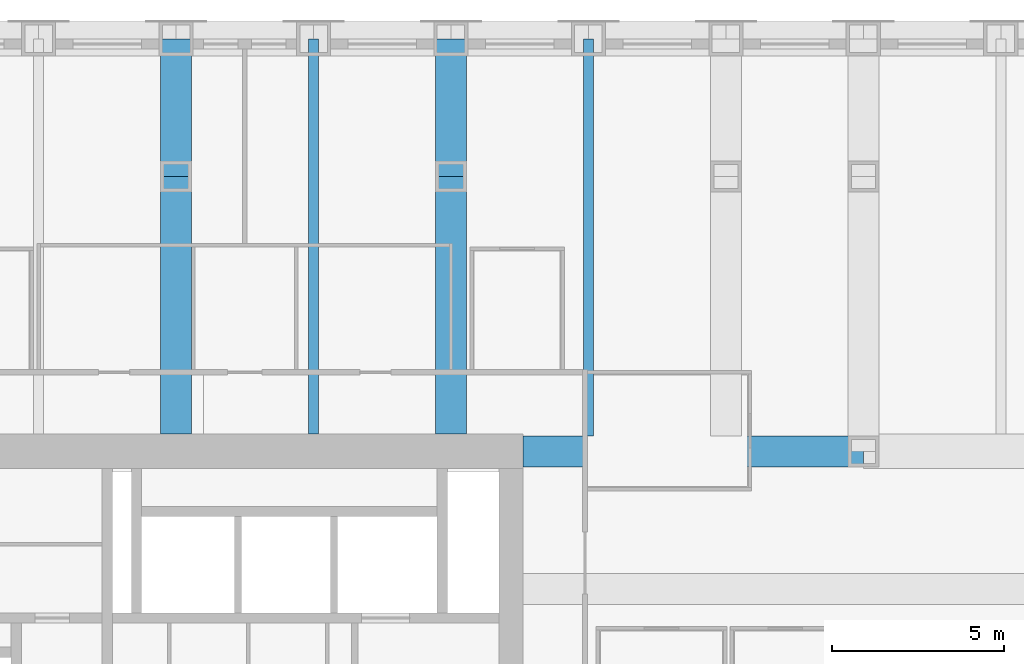
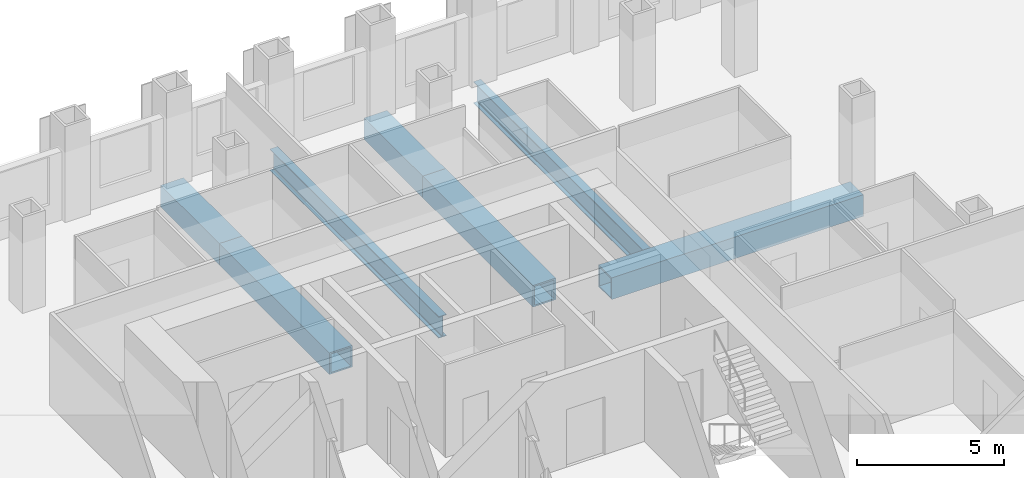
# One storey, part 7 of 16: 7 beams.
"""IFC4 building model written with IfcOpenShell, lengths in metres."""

from ifc_helpers import new_model, si_unit, direction, frame, origin, origin_2d, place, context, subcontext, project, spatial, hollow_rectangle, i_section, extrude, material, material_profile, profile_set, type_object, element, save


model = new_model("IFC4")

# Units and contexts
model_context = context("Model", 3, precision=1e-05, world=origin(), true_north=direction((0.0, 1.0)))
body_context = subcontext(model_context, "Body", "Model", "MODEL_VIEW")
ifc_project = project(units=[si_unit("LENGTHUNIT", "METRE"), si_unit("AREAUNIT", "SQUARE_METRE"), si_unit("VOLUMEUNIT", "CUBIC_METRE"), si_unit("PLANEANGLEUNIT", "RADIAN"), si_unit("MASSUNIT", "GRAM", prefix="KILO")], contexts=[model_context])

# Site, building, storey
site_placement = place(None, origin())
site = spatial("IfcSite", under=ifc_project, at=site_placement, CompositionType="ELEMENT")
building_placement = place(site_placement, origin())
building = spatial("IfcBuilding", under=site, at=building_placement, Name="Rimbunsela Tower", CompositionType="ELEMENT")
storey_placement = place(building_placement, frame((0.0, 0.0, 97.39990234375)))
storey = spatial("IfcBuildingStorey", under=building, at=storey_placement, Name="L23", CompositionType="ELEMENT", Elevation=97.39990234375)

# Beams
ifc_material_1 = material(Name="Steel BJ 55 (fy 410 MPa)", Category="steel")
ifc_material_profile_1 = material_profile(ifc_material_1, hollow_rectangle(XDim=0.89990234375, YDim=0.89990234375, WallThickness=0.06005859375, at=origin_2d()), Name="BOX 900x900x60")
ifc_profile_set_1 = profile_set([ifc_material_profile_1], Name="Steel BJ 55 (fy 410 MPa)")
beam_type_1 = type_object("IfcBeamType", Name="Beam BOX 900x900x60", PredefinedType="BEAM", material=ifc_profile_set_1)
beam_1_placement = place(storey_placement, frame((26.0, 36.5, -0.599853515625), z_axis=(0.0, 1.0, 0.0), x_axis=(-1.0, 0.0, 0.0)))
element("IfcBeam", 1, at=beam_1_placement, inside=storey, type_object=beam_type_1, Name="Beam B1 L23", PredefinedType="BEAM", context=body_context, shape_type="SweptSolid", body=[
    extrude(hollow_rectangle(XDim=0.89990234375, YDim=0.89990234375, WallThickness=0.06005859375, at=origin_2d()), origin(), (0.0, 0.0, 1.0), 7.5),
])
beam_2_placement = place(storey_placement, frame((26.0, 44.0, -0.599853515625), z_axis=(0.0, 1.0, 0.0), x_axis=(-1.0, 0.0, 0.0)))
element("IfcBeam", 2, at=beam_2_placement, inside=storey, type_object=beam_type_1, Name="Beam B1 L23", PredefinedType="BEAM", context=body_context, shape_type="SweptSolid", body=[
    extrude(hollow_rectangle(XDim=0.89990234375, YDim=0.89990234375, WallThickness=0.06005859375, at=origin_2d()), origin(), (0.0, 0.0, 1.0), 4.0),
])
beam_3_placement = place(storey_placement, frame((34.0, 36.5, -0.599853515625), z_axis=(0.0, 1.0, 0.0), x_axis=(-1.0, 0.0, 0.0)))
element("IfcBeam", 3, at=beam_3_placement, inside=storey, type_object=beam_type_1, Name="Beam B1 L23", PredefinedType="BEAM", context=body_context, shape_type="SweptSolid", body=[
    extrude(hollow_rectangle(XDim=0.89990234375, YDim=0.89990234375, WallThickness=0.06005859375, at=origin_2d()), origin(), (0.0, 0.0, 1.0), 7.5),
])
beam_4_placement = place(storey_placement, frame((34.0, 44.0, -0.599853515625), z_axis=(0.0, 1.0, 0.0), x_axis=(-1.0, 0.0, 0.0)))
element("IfcBeam", 4, at=beam_4_placement, inside=storey, type_object=beam_type_1, Name="Beam B1 L23", PredefinedType="BEAM", context=body_context, shape_type="SweptSolid", body=[
    extrude(hollow_rectangle(XDim=0.89990234375, YDim=0.89990234375, WallThickness=0.06005859375, at=origin_2d()), origin(), (0.0, 0.0, 1.0), 4.0),
])
beam_5_placement = place(storey_placement, frame((36.10009765625, 36.0, -0.599853515625), z_axis=(1.0, 0.0, 0.0), x_axis=(0.0, 1.0, 0.0)))
element("IfcBeam", 5, at=beam_5_placement, inside=storey, type_object=beam_type_1, Name="Beam B1 L23", PredefinedType="BEAM", context=body_context, shape_type="SweptSolid", body=[
    extrude(hollow_rectangle(XDim=0.89990234375, YDim=0.89990234375, WallThickness=0.06005859375, at=origin_2d()), origin(), (0.0, 0.0, 1.0), 9.89990234375),
])
ifc_material_2 = material(Name="Steel BJ 55 (fy 410 MPa)", Category="steel")
ifc_material_profile_2 = material_profile(ifc_material_2, i_section(OverallWidth=0.300048828125, OverallDepth=0.89990234375, WebThickness=0.01611328125, FlangeThickness=0.028076171875, FilletRadius=0.028076171875, at=origin_2d()), Name="H 900x300x16x28")
ifc_profile_set_2 = profile_set([ifc_material_profile_2], Name="Steel BJ 55 (fy 410 MPa)")
beam_type_2 = type_object("IfcBeamType", Name="Beam H 900x300x16x28", PredefinedType="BEAM", material=ifc_profile_set_2)
beam_6_placement = place(storey_placement, frame((30.0, 36.5, -0.599853515625), z_axis=(0.0, 1.0, 0.0), x_axis=(-1.0, 0.0, 0.0)))
element("IfcBeam", 6, at=beam_6_placement, inside=storey, type_object=beam_type_2, Name="Beam B2 L23", PredefinedType="BEAM", context=body_context, shape_type="SweptSolid", body=[
    extrude(i_section(OverallWidth=0.300048828125, OverallDepth=0.89990234375, WebThickness=0.01611328125, FlangeThickness=0.028076171875, FilletRadius=0.028076171875, at=origin_2d()), origin(), (0.0, 0.0, 1.0), 11.5),
])
beam_7_placement = place(storey_placement, frame((38.0, 36.449951171875, -0.599853515625), z_axis=(0.0, 1.0, 0.0), x_axis=(-1.0, 0.0, 0.0)))
element("IfcBeam", 7, at=beam_7_placement, inside=storey, type_object=beam_type_2, Name="Beam B2 L23", PredefinedType="BEAM", context=body_context, shape_type="SweptSolid", body=[
    extrude(i_section(OverallWidth=0.300048828125, OverallDepth=0.89990234375, WebThickness=0.01611328125, FlangeThickness=0.028076171875, FilletRadius=0.028076171875, at=origin_2d()), origin(), (0.0, 0.0, 1.0), 11.550048828125),
])

save(model, "model.ifc")
